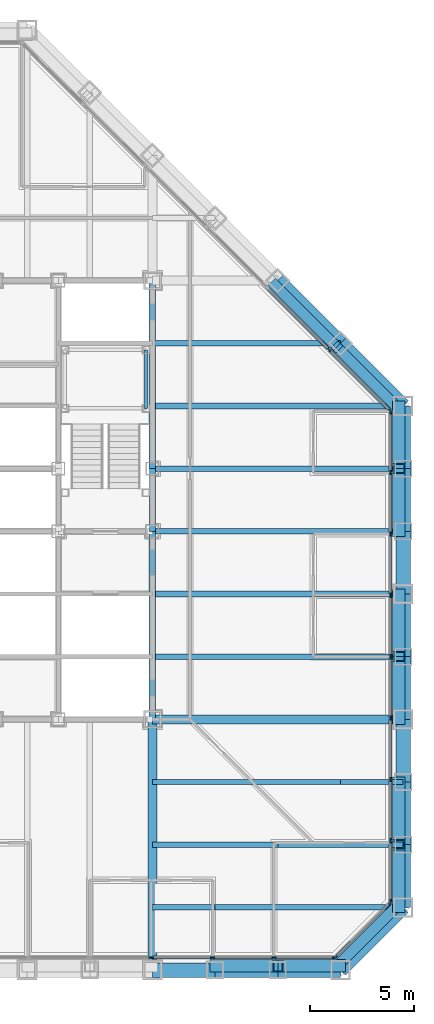
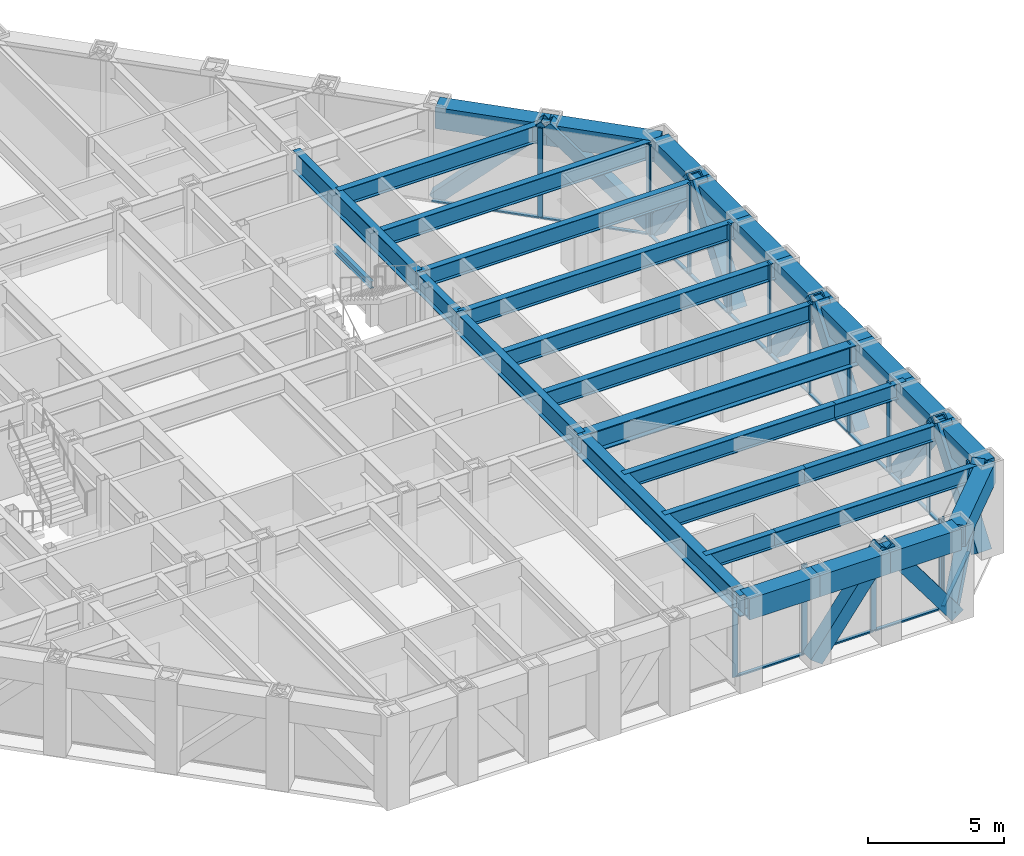
# One storey, part 6 of 17: 42 members, 32 beams, 4 elements without a shape of their own.
"""IFC4 building model written with IfcOpenShell, lengths in metres."""

from ifc_helpers import new_model, si_unit, direction, frame, origin, origin_2d, place, context, subcontext, project, spatial, rectangle, hollow_rectangle, i_section, extrude, material, layer, layer_set, material_profile, profile_set, type_object, element, aggregate, save


model = new_model("IFC4")

# Units and contexts
model_context = context("Model", 3, precision=1e-05, world=origin(), true_north=direction((0.0, 1.0)))
body_context = subcontext(model_context, "Body", "Model", "MODEL_VIEW")
ifc_project = project(units=[si_unit("LENGTHUNIT", "METRE"), si_unit("AREAUNIT", "SQUARE_METRE"), si_unit("VOLUMEUNIT", "CUBIC_METRE"), si_unit("PLANEANGLEUNIT", "RADIAN"), si_unit("MASSUNIT", "GRAM", prefix="KILO")], contexts=[model_context])

# Site, building, storey
site_placement = place(None, origin())
site = spatial("IfcSite", under=ifc_project, at=site_placement, CompositionType="ELEMENT")
building_placement = place(site_placement, origin())
building = spatial("IfcBuilding", under=site, at=building_placement, Name="Chuquiago Exchange Tower", CompositionType="ELEMENT")
storey_placement = place(building_placement, frame((0.0, 0.0, 169.800048828125)))
storey = spatial("IfcBuildingStorey", under=building, at=storey_placement, Name="L37", CompositionType="ELEMENT", Elevation=169.800048828125)

# Beams
ifc_material_1 = material(Name="Steel ASTM A992", Category="steel")
ifc_material_profile_1 = material_profile(ifc_material_1, i_section(OverallWidth=0.307373046875, OverallDepth=0.927001953125, WebThickness=0.01953125, FlangeThickness=0.031982421875, at=origin_2d()), Name="W36X194")
ifc_profile_set_1 = profile_set([ifc_material_profile_1], Name="Steel ASTM A992")
beam_type_1 = type_object("IfcBeamType", Name="B10 W36X194", PredefinedType="BEAM", material=ifc_profile_set_1)
for number, where, z_axis, x_axis, name in (
    (1, (33.0, 12.0, 3.576416015625), (0.0, 1.0, 0.0), (-1.0, 0.0, 0.0), "CB-L38-33_12-33_21"),
    (2, (33.0, 24.0, 3.576416015625), (0.0, 1.0, 0.0), (-1.0, 0.0, 0.0), "CB-L38-33_24-33_33"),
):
    element("IfcBeam", number, at=place(storey_placement, frame(where, z_axis=z_axis, x_axis=x_axis)), inside=storey, type_object=beam_type_1, Name=name, PredefinedType="BEAM", context=body_context, shape_type="SweptSolid", body=[
        extrude(i_section(OverallWidth=0.307373046875, OverallDepth=0.927001953125, WebThickness=0.01953125, FlangeThickness=0.031982421875, at=origin_2d()), origin(), (0.0, 0.0, 1.0), 9.0),
    ])
ifc_material_2 = material(Name="Steel ASTM A992", Category="steel")
ifc_material_profile_2 = material_profile(ifc_material_2, i_section(OverallWidth=0.2919921875, OverallDepth=0.8583984375, WebThickness=0.01708984375, FlangeThickness=0.031005859375, at=origin_2d()), Name="W33X169")
ifc_profile_set_2 = profile_set([ifc_material_profile_2], Name="Steel ASTM A992")
beam_type_2 = type_object("IfcBeamType", Name="B3 W33X169", PredefinedType="BEAM", material=ifc_profile_set_2)
beam_1_placement = place(storey_placement, frame((33.0, 21.0, 3.610595703125), z_axis=(0.0, 1.0, 0.0), x_axis=(-1.0, 0.0, 0.0)))
element("IfcBeam", 3, at=beam_1_placement, inside=storey, type_object=beam_type_2, Name="CB-L38-33_21-33_24", PredefinedType="BEAM", context=body_context, shape_type="SweptSolid", body=[
    extrude(i_section(OverallWidth=0.2919921875, OverallDepth=0.8583984375, WebThickness=0.01708984375, FlangeThickness=0.031005859375, at=origin_2d()), origin(), (0.0, 0.0, 1.0), 3.0),
])
ifc_material_3 = material(Name="Steel ASTM A992", Category="steel")
ifc_material_profile_3 = material_profile(ifc_material_3, i_section(OverallWidth=0.2666015625, OverallDepth=0.761962890625, WebThickness=0.014404296875, FlangeThickness=0.021484375, at=origin_2d()), Name="W30X116")
ifc_profile_set_3 = profile_set([ifc_material_profile_3], Name="Steel ASTM A992")
beam_type_3 = type_object("IfcBeamType", Name="B8 W30X116", PredefinedType="BEAM", material=ifc_profile_set_3)
for number, where, z_axis, x_axis, name in (
    (4, (33.0, 15.0, 3.658935546875), (1.0, 0.0, 0.0), (0.0, 1.0, 0.0), "FB-L38-infill-33_15-45_15-0"),
    (5, (33.0, 18.0, 3.658935546875), (1.0, 0.0, 0.0), (0.0, 1.0, 0.0), "FB-L38-infill-33_18-45_18-0"),
    (6, (33.0, 21.0, 3.658935546875), (1.0, 0.0, 0.0), (0.0, 1.0, 0.0), "FB-L38-infill-33_21-45_21-0"),
    (7, (33.0, 24.0, 3.658935546875), (1.0, 0.0, 0.0), (0.0, 1.0, 0.0), "FB-L38-infill-33_24-45_24-0"),
    (8, (33.0, 27.0, 3.658935546875), (1.0, 0.0, 0.0), (0.0, 1.0, 0.0), "FB-L38-infill-33_27-45_27-0"),
):
    element("IfcBeam", number, at=place(storey_placement, frame(where, z_axis=z_axis, x_axis=x_axis)), inside=storey, type_object=beam_type_3, Name=name, PredefinedType="BEAM", context=body_context, shape_type="SweptSolid", body=[
        extrude(i_section(OverallWidth=0.2666015625, OverallDepth=0.761962890625, WebThickness=0.014404296875, FlangeThickness=0.021484375, at=origin_2d()), origin(), (0.0, 0.0, 1.0), 12.0),
    ])
beam_2_placement = place(storey_placement, frame((33.0, 30.0, 3.658935546875), z_axis=(1.0, 0.0, 0.0), x_axis=(0.0, 1.0, 0.0)))
element("IfcBeam", 9, at=beam_2_placement, inside=storey, type_object=beam_type_3, Name="FB-L38-infill-33_30-42_30-0", PredefinedType="BEAM", context=body_context, shape_type="SweptSolid", body=[
    extrude(i_section(OverallWidth=0.2666015625, OverallDepth=0.761962890625, WebThickness=0.014404296875, FlangeThickness=0.021484375, at=origin_2d()), origin(), (0.0, 0.0, 1.0), 9.0),
])
ifc_material_4 = material(Name="Steel ASTM A992", Category="steel")
ifc_material_profile_4 = material_profile(ifc_material_4, i_section(OverallWidth=0.256591796875, OverallDepth=0.693359375, WebThickness=0.014404296875, FlangeThickness=0.023681640625, at=origin_2d()), Name="W27X114")
ifc_profile_set_4 = profile_set([ifc_material_profile_4], Name="Steel ASTM A992")
beam_type_4 = type_object("IfcBeamType", Name="B9 W27X114", PredefinedType="BEAM", material=ifc_profile_set_4)
beam_3_placement = place(storey_placement, frame((33.0, 3.0, 3.693359375), z_axis=(1.0, 0.0, 0.0), x_axis=(0.0, 1.0, 0.0)))
element("IfcBeam", 10, at=beam_3_placement, inside=storey, type_object=beam_type_4, Name="FB-L38-corner-33_3-45_3-0", PredefinedType="BEAM", context=body_context, shape_type="SweptSolid", body=[
    extrude(i_section(OverallWidth=0.256591796875, OverallDepth=0.693359375, WebThickness=0.014404296875, FlangeThickness=0.023681640625, at=origin_2d()), origin(), (0.0, 0.0, 1.0), 3.0),
])
beam_4_placement = place(storey_placement, frame((36.0, 3.0, 3.693359375), z_axis=(1.0, 0.0, 0.0), x_axis=(0.0, 1.0, 0.0)))
element("IfcBeam", 11, at=beam_4_placement, inside=storey, type_object=beam_type_4, Name="FB-L38-corner-33_3-45_3-1", PredefinedType="BEAM", context=body_context, shape_type="SweptSolid", body=[
    extrude(i_section(OverallWidth=0.256591796875, OverallDepth=0.693359375, WebThickness=0.014404296875, FlangeThickness=0.023681640625, at=origin_2d()), origin(), (0.0, 0.0, 1.0), 9.0),
])
for number, where, z_axis, x_axis, name in (
    (12, (33.0, 6.0, 3.693359375), (1.0, 0.0, 0.0), (0.0, 1.0, 0.0), "FB-L38-corner-33_6-45_6-0"),
    (13, (39.0, 6.0, 3.693359375), (1.0, 0.0, 0.0), (0.0, 1.0, 0.0), "FB-L38-corner-33_6-45_6-1"),
):
    element("IfcBeam", number, at=place(storey_placement, frame(where, z_axis=z_axis, x_axis=x_axis)), inside=storey, type_object=beam_type_4, Name=name, PredefinedType="BEAM", context=body_context, shape_type="SweptSolid", body=[
        extrude(i_section(OverallWidth=0.256591796875, OverallDepth=0.693359375, WebThickness=0.014404296875, FlangeThickness=0.023681640625, at=origin_2d()), origin(), (0.0, 0.0, 1.0), 6.0),
    ])
beam_5_placement = place(storey_placement, frame((33.0, 9.0, 3.693359375), z_axis=(1.0, 0.0, 0.0), x_axis=(0.0, 1.0, 0.0)))
element("IfcBeam", 14, at=beam_5_placement, inside=storey, type_object=beam_type_4, Name="FB-L38-corner-33_9-45_9-0", PredefinedType="BEAM", context=body_context, shape_type="SweptSolid", body=[
    extrude(i_section(OverallWidth=0.256591796875, OverallDepth=0.693359375, WebThickness=0.014404296875, FlangeThickness=0.023681640625, at=origin_2d()), origin(), (0.0, 0.0, 1.0), 9.0),
])
beam_6_placement = place(storey_placement, frame((42.0, 9.0, 3.693359375), z_axis=(1.0, 0.0, 0.0), x_axis=(0.0, 1.0, 0.0)))
element("IfcBeam", 15, at=beam_6_placement, inside=storey, type_object=beam_type_4, Name="FB-L38-corner-33_9-45_9-1", PredefinedType="BEAM", context=body_context, shape_type="SweptSolid", body=[
    extrude(i_section(OverallWidth=0.256591796875, OverallDepth=0.693359375, WebThickness=0.014404296875, FlangeThickness=0.023681640625, at=origin_2d()), origin(), (0.0, 0.0, 1.0), 3.0),
])

# Curtain wall, members
ifc_material_5 = material(Name="Aluminium curtain wall system", Category="aluminium")
ifc_layer_1 = layer(ifc_material_5, 0.22509765625)
ifc_layer_set_1 = layer_set([ifc_layer_1], Name="CW2 office curtain wall")
curtain_wall_type_1 = type_object("IfcCurtainWallType", Name="CW2 office curtain wall", PredefinedType="NOTDEFINED", material=ifc_layer_set_1)
curtain_wall_1_placement = place(storey_placement, origin())
curtain_wall_1 = element("IfcCurtainWall", 16, at=curtain_wall_1_placement, inside=storey, type_object=curtain_wall_type_1, Name="CW2 curtain wall L37", PredefinedType="NOTDEFINED")
ifc_material_6 = material(Name="Aluminium mullion, pale anodised", Category="aluminium")
ifc_material_profile_5 = material_profile(ifc_material_6, rectangle(XDim=0.06494140625, YDim=0.22509765625, at=origin_2d()), Name="AL 65x225")
ifc_profile_set_5 = profile_set([ifc_material_profile_5], Name="Aluminium mullion, pale anodised")
member_type_1 = type_object("IfcMemberType", Name="CW2-M mullion 65x225", PredefinedType="MULLION", material=ifc_profile_set_5)
member_1_placement = place(storey_placement, frame((32.93798828125, 0.60009765625, 0.0), z_axis=(0.0, 0.0, 1.0), x_axis=(0.0, 1.0, 0.0)))
member_1 = element("IfcMember", 17, at=member_1_placement, type_object=member_type_1, Name="CW2 mullion 6", PredefinedType="MULLION", context=body_context, shape_type="SweptSolid", body=[
    extrude(rectangle(XDim=0.06494140625, YDim=0.22509765625, at=origin_2d()), origin(), (0.0, 0.0, 1.0), 4.0400390625),
])
member_2_placement = place(storey_placement, frame((35.875732421875, 0.60009765625, 0.0), z_axis=(0.0, 0.0, 1.0), x_axis=(0.0, 1.0, 0.0)))
member_2 = element("IfcMember", 18, at=member_2_placement, type_object=member_type_1, Name="CW2 mullion 7", PredefinedType="MULLION", context=body_context, shape_type="SweptSolid", body=[
    extrude(rectangle(XDim=0.06494140625, YDim=0.22509765625, at=origin_2d()), origin(), (0.0, 0.0, 1.0), 4.0400390625),
])
member_3_placement = place(storey_placement, frame((38.813720703125, 0.60009765625, 0.0), z_axis=(0.0, 0.0, 1.0), x_axis=(0.0, 1.0, 0.0)))
member_3 = element("IfcMember", 19, at=member_3_placement, type_object=member_type_1, Name="CW2 mullion 8", PredefinedType="MULLION", context=body_context, shape_type="SweptSolid", body=[
    extrude(rectangle(XDim=0.06494140625, YDim=0.22509765625, at=origin_2d()), origin(), (0.0, 0.0, 1.0), 4.0400390625),
])
member_4_placement = place(storey_placement, frame((41.718994140625, 0.60009765625, 0.0), z_axis=(0.0, 0.0, 1.0), x_axis=(0.0, 1.0, 0.0)))
member_4 = element("IfcMember", 20, at=member_4_placement, type_object=member_type_1, Name="CW2 mullion 9", PredefinedType="MULLION", context=body_context, shape_type="SweptSolid", body=[
    extrude(rectangle(XDim=0.06494140625, YDim=0.22509765625, at=origin_2d()), origin(), (0.0, 0.0, 1.0), 4.0400390625),
])

curtain_wall_2_placement = place(storey_placement, origin())
curtain_wall_2 = element("IfcCurtainWall", 21, at=curtain_wall_2_placement, inside=storey, type_object=curtain_wall_type_1, Name="CW2 curtain wall L37", PredefinedType="NOTDEFINED")
member_5_placement = place(storey_placement, frame((44.39990234375, 3.281005859375, 0.0), z_axis=(0.0, 0.0, 1.0), x_axis=(-1.0, 0.0, 0.0)))
member_5 = element("IfcMember", 22, at=member_5_placement, type_object=member_type_1, Name="CW2 mullion 1", PredefinedType="MULLION", context=body_context, shape_type="SweptSolid", body=[
    extrude(rectangle(XDim=0.06494140625, YDim=0.22509765625, at=origin_2d()), origin(), (0.0, 0.0, 1.0), 4.0400390625),
])
member_6_placement = place(storey_placement, frame((44.39990234375, 6.186279296875, 0.0), z_axis=(0.0, 0.0, 1.0), x_axis=(-1.0, 0.0, 0.0)))
member_6 = element("IfcMember", 23, at=member_6_placement, type_object=member_type_1, Name="CW2 mullion 2", PredefinedType="MULLION", context=body_context, shape_type="SweptSolid", body=[
    extrude(rectangle(XDim=0.06494140625, YDim=0.22509765625, at=origin_2d()), origin(), (0.0, 0.0, 1.0), 4.0400390625),
])
member_7_placement = place(storey_placement, frame((44.39990234375, 9.124267578125, 0.0), z_axis=(0.0, 0.0, 1.0), x_axis=(-1.0, 0.0, 0.0)))
member_7 = element("IfcMember", 24, at=member_7_placement, type_object=member_type_1, Name="CW2 mullion 3", PredefinedType="MULLION", context=body_context, shape_type="SweptSolid", body=[
    extrude(rectangle(XDim=0.06494140625, YDim=0.22509765625, at=origin_2d()), origin(), (0.0, 0.0, 1.0), 4.0400390625),
])
member_8_placement = place(storey_placement, frame((44.39990234375, 12.06201171875, 0.0), z_axis=(0.0, 0.0, 1.0), x_axis=(-1.0, 0.0, 0.0)))
member_8 = element("IfcMember", 25, at=member_8_placement, type_object=member_type_1, Name="CW2 mullion 4", PredefinedType="MULLION", context=body_context, shape_type="SweptSolid", body=[
    extrude(rectangle(XDim=0.06494140625, YDim=0.22509765625, at=origin_2d()), origin(), (0.0, 0.0, 1.0), 4.0400390625),
])
member_9_placement = place(storey_placement, frame((44.39990234375, 15.0, 0.0), z_axis=(0.0, 0.0, 1.0), x_axis=(-1.0, 0.0, 0.0)))
member_9 = element("IfcMember", 26, at=member_9_placement, type_object=member_type_1, Name="CW2 mullion 5", PredefinedType="MULLION", context=body_context, shape_type="SweptSolid", body=[
    extrude(rectangle(XDim=0.06494140625, YDim=0.22509765625, at=origin_2d()), origin(), (0.0, 0.0, 1.0), 4.0400390625),
])
member_10_placement = place(storey_placement, frame((44.39990234375, 17.93798828125, 0.0), z_axis=(0.0, 0.0, 1.0), x_axis=(-1.0, 0.0, 0.0)))
member_10 = element("IfcMember", 27, at=member_10_placement, type_object=member_type_1, Name="CW2 mullion 6", PredefinedType="MULLION", context=body_context, shape_type="SweptSolid", body=[
    extrude(rectangle(XDim=0.06494140625, YDim=0.22509765625, at=origin_2d()), origin(), (0.0, 0.0, 1.0), 4.0400390625),
])
member_11_placement = place(storey_placement, frame((44.39990234375, 20.875732421875, 0.0), z_axis=(0.0, 0.0, 1.0), x_axis=(-1.0, 0.0, 0.0)))
member_11 = element("IfcMember", 28, at=member_11_placement, type_object=member_type_1, Name="CW2 mullion 7", PredefinedType="MULLION", context=body_context, shape_type="SweptSolid", body=[
    extrude(rectangle(XDim=0.06494140625, YDim=0.22509765625, at=origin_2d()), origin(), (0.0, 0.0, 1.0), 4.0400390625),
])
member_12_placement = place(storey_placement, frame((44.39990234375, 23.813720703125, 0.0), z_axis=(0.0, 0.0, 1.0), x_axis=(-1.0, 0.0, 0.0)))
member_12 = element("IfcMember", 29, at=member_12_placement, type_object=member_type_1, Name="CW2 mullion 8", PredefinedType="MULLION", context=body_context, shape_type="SweptSolid", body=[
    extrude(rectangle(XDim=0.06494140625, YDim=0.22509765625, at=origin_2d()), origin(), (0.0, 0.0, 1.0), 4.0400390625),
])
member_13_placement = place(storey_placement, frame((44.39990234375, 26.718994140625, 0.0), z_axis=(0.0, 0.0, 1.0), x_axis=(-1.0, 0.0, 0.0)))
member_13 = element("IfcMember", 30, at=member_13_placement, type_object=member_type_1, Name="CW2 mullion 9", PredefinedType="MULLION", context=body_context, shape_type="SweptSolid", body=[
    extrude(rectangle(XDim=0.06494140625, YDim=0.22509765625, at=origin_2d()), origin(), (0.0, 0.0, 1.0), 4.0400390625),
])

# Member
ifc_material_7 = material(Name="Aluminium transom, pale anodised", Category="aluminium")
ifc_material_profile_6 = material_profile(ifc_material_7, rectangle(XDim=0.139892578125, YDim=0.06494140625, at=origin_2d()), Name="AL 140x65")
ifc_profile_set_6 = profile_set([ifc_material_profile_6], Name="Aluminium transom, pale anodised")
member_type_2 = type_object("IfcMemberType", Name="CW2-T transom 65x140", PredefinedType="MULLION", material=ifc_profile_set_6)
member_14_placement = place(storey_placement, frame((32.970458984375, 0.60009765625, 0.032470703125), z_axis=(1.0, 0.0, 0.0), x_axis=(0.0, 1.0, 0.0)))
member_14 = element("IfcMember", 31, at=member_14_placement, type_object=member_type_2, Name="CW2 transom 6.1", PredefinedType="MULLION", context=body_context, shape_type="SweptSolid", body=[
    extrude(rectangle(XDim=0.139892578125, YDim=0.06494140625, at=origin_2d()), origin(), (0.0, 0.0, 1.0), 2.872802734375),
])

member_15_placement = place(storey_placement, frame((35.908203125, 0.60009765625, 0.032470703125), z_axis=(1.0, 0.0, 0.0), x_axis=(0.0, 1.0, 0.0)))
member_15 = element("IfcMember", 32, at=member_15_placement, type_object=member_type_2, Name="CW2 transom 7.1", PredefinedType="MULLION", context=body_context, shape_type="SweptSolid", body=[
    extrude(rectangle(XDim=0.139892578125, YDim=0.06494140625, at=origin_2d()), origin(), (0.0, 0.0, 1.0), 2.872802734375),
])

member_16_placement = place(storey_placement, frame((38.84619140625, 0.60009765625, 0.032470703125), z_axis=(1.0, 0.0, 0.0), x_axis=(0.0, 1.0, 0.0)))
member_16 = element("IfcMember", 33, at=member_16_placement, type_object=member_type_2, Name="CW2 transom 8.1", PredefinedType="MULLION", context=body_context, shape_type="SweptSolid", body=[
    extrude(rectangle(XDim=0.139892578125, YDim=0.06494140625, at=origin_2d()), origin(), (0.0, 0.0, 1.0), 2.84033203125),
])

aggregate(curtain_wall_1, [member_1, member_2, member_3, member_4, member_14, member_15, member_16])

member_17_placement = place(storey_placement, frame((44.39990234375, 3.3134765625, 0.032470703125), z_axis=(0.0, 1.0, 0.0), x_axis=(-1.0, 0.0, 0.0)))
member_17 = element("IfcMember", 34, at=member_17_placement, type_object=member_type_2, Name="CW2 transom 1.1", PredefinedType="MULLION", context=body_context, shape_type="SweptSolid", body=[
    extrude(rectangle(XDim=0.139892578125, YDim=0.06494140625, at=origin_2d()), origin(), (0.0, 0.0, 1.0), 2.84033203125),
])

member_18_placement = place(storey_placement, frame((44.39990234375, 6.218994140625, 0.032470703125), z_axis=(0.0, 1.0, 0.0), x_axis=(-1.0, 0.0, 0.0)))
member_18 = element("IfcMember", 35, at=member_18_placement, type_object=member_type_2, Name="CW2 transom 2.1", PredefinedType="MULLION", context=body_context, shape_type="SweptSolid", body=[
    extrude(rectangle(XDim=0.139892578125, YDim=0.06494140625, at=origin_2d()), origin(), (0.0, 0.0, 1.0), 2.872802734375),
])

member_19_placement = place(storey_placement, frame((44.39990234375, 9.15673828125, 0.032470703125), z_axis=(0.0, 1.0, 0.0), x_axis=(-1.0, 0.0, 0.0)))
member_19 = element("IfcMember", 36, at=member_19_placement, type_object=member_type_2, Name="CW2 transom 3.1", PredefinedType="MULLION", context=body_context, shape_type="SweptSolid", body=[
    extrude(rectangle(XDim=0.139892578125, YDim=0.06494140625, at=origin_2d()), origin(), (0.0, 0.0, 1.0), 2.872802734375),
])

member_20_placement = place(storey_placement, frame((44.39990234375, 12.0947265625, 0.032470703125), z_axis=(0.0, 1.0, 0.0), x_axis=(-1.0, 0.0, 0.0)))
member_20 = element("IfcMember", 37, at=member_20_placement, type_object=member_type_2, Name="CW2 transom 4.1", PredefinedType="MULLION", context=body_context, shape_type="SweptSolid", body=[
    extrude(rectangle(XDim=0.139892578125, YDim=0.06494140625, at=origin_2d()), origin(), (0.0, 0.0, 1.0), 2.872802734375),
])

member_21_placement = place(storey_placement, frame((44.39990234375, 15.032470703125, 0.032470703125), z_axis=(0.0, 1.0, 0.0), x_axis=(-1.0, 0.0, 0.0)))
member_21 = element("IfcMember", 38, at=member_21_placement, type_object=member_type_2, Name="CW2 transom 5.1", PredefinedType="MULLION", context=body_context, shape_type="SweptSolid", body=[
    extrude(rectangle(XDim=0.139892578125, YDim=0.06494140625, at=origin_2d()), origin(), (0.0, 0.0, 1.0), 2.872802734375),
])

member_22_placement = place(storey_placement, frame((44.39990234375, 17.970458984375, 0.032470703125), z_axis=(0.0, 1.0, 0.0), x_axis=(-1.0, 0.0, 0.0)))
member_22 = element("IfcMember", 39, at=member_22_placement, type_object=member_type_2, Name="CW2 transom 6.1", PredefinedType="MULLION", context=body_context, shape_type="SweptSolid", body=[
    extrude(rectangle(XDim=0.139892578125, YDim=0.06494140625, at=origin_2d()), origin(), (0.0, 0.0, 1.0), 2.872802734375),
])

member_23_placement = place(storey_placement, frame((44.39990234375, 20.908203125, 0.032470703125), z_axis=(0.0, 1.0, 0.0), x_axis=(-1.0, 0.0, 0.0)))
member_23 = element("IfcMember", 40, at=member_23_placement, type_object=member_type_2, Name="CW2 transom 7.1", PredefinedType="MULLION", context=body_context, shape_type="SweptSolid", body=[
    extrude(rectangle(XDim=0.139892578125, YDim=0.06494140625, at=origin_2d()), origin(), (0.0, 0.0, 1.0), 2.872802734375),
])

member_24_placement = place(storey_placement, frame((44.39990234375, 23.84619140625, 0.032470703125), z_axis=(0.0, 1.0, 0.0), x_axis=(-1.0, 0.0, 0.0)))
member_24 = element("IfcMember", 41, at=member_24_placement, type_object=member_type_2, Name="CW2 transom 8.1", PredefinedType="MULLION", context=body_context, shape_type="SweptSolid", body=[
    extrude(rectangle(XDim=0.139892578125, YDim=0.06494140625, at=origin_2d()), origin(), (0.0, 0.0, 1.0), 2.84033203125),
])

aggregate(curtain_wall_2, [member_5, member_6, member_7, member_8, member_9, member_10, member_11, member_12, member_13, member_17, member_18, member_19, member_20, member_21, member_22, member_23, member_24])

# Curtain wall, members
ifc_material_8 = material(Name="Aluminium curtain wall system", Category="aluminium")
ifc_layer_2 = layer(ifc_material_8, 0.199951171875)
ifc_layer_set_2 = layer_set([ifc_layer_2], Name="CW3 facet curtain wall")
curtain_wall_type_2 = type_object("IfcCurtainWallType", Name="CW3 facet curtain wall", PredefinedType="NOTDEFINED", material=ifc_layer_set_2)
curtain_wall_3_placement = place(storey_placement, origin())
curtain_wall_3 = element("IfcCurtainWall", 42, at=curtain_wall_3_placement, inside=storey, type_object=curtain_wall_type_2, Name="CW3 curtain wall L37", PredefinedType="NOTDEFINED")
ifc_material_9 = material(Name="Aluminium mullion, pale anodised", Category="aluminium")
ifc_material_profile_7 = material_profile(ifc_material_9, rectangle(XDim=0.06494140625, YDim=0.199951171875, at=origin_2d()), Name="AL 65x200")
ifc_profile_set_7 = profile_set([ifc_material_profile_7], Name="Aluminium mullion, pale anodised")
member_type_3 = type_object("IfcMemberType", Name="CW3-M mullion 65x200", PredefinedType="MULLION", material=ifc_profile_set_7)
member_25_placement = place(storey_placement, frame((41.7744140625, 0.623046875, 0.0), z_axis=(0.0, 0.0, 1.0), x_axis=(-0.707106781187, 0.707106781187, 0.0)))
member_25 = element("IfcMember", 43, at=member_25_placement, type_object=member_type_3, Name="CW3 mullion 1", PredefinedType="MULLION", context=body_context, shape_type="SweptSolid", body=[
    extrude(rectangle(XDim=0.06494140625, YDim=0.199951171875, at=origin_2d()), origin(), (0.0, 0.0, 1.0), 4.0400390625),
])
member_26_placement = place(storey_placement, frame((44.376953125, 3.2255859375, 0.0), z_axis=(0.0, 0.0, 1.0), x_axis=(-0.707106781187, 0.707106781187, 0.0)))
member_26 = element("IfcMember", 44, at=member_26_placement, type_object=member_type_3, Name="CW3 mullion 2", PredefinedType="MULLION", context=body_context, shape_type="SweptSolid", body=[
    extrude(rectangle(XDim=0.06494140625, YDim=0.199951171875, at=origin_2d()), origin(), (0.0, 0.0, 1.0), 4.0400390625),
])

curtain_wall_4_placement = place(storey_placement, origin())
curtain_wall_4 = element("IfcCurtainWall", 45, at=curtain_wall_4_placement, inside=storey, type_object=curtain_wall_type_2, Name="CW3 curtain wall L37", PredefinedType="NOTDEFINED")
member_27_placement = place(storey_placement, frame((44.376953125, 26.7744140625, 0.0), z_axis=(0.0, 0.0, 1.0), x_axis=(-0.707106781187, -0.707106781187, 0.0)))
member_27 = element("IfcMember", 46, at=member_27_placement, type_object=member_type_3, Name="CW3 mullion 1", PredefinedType="MULLION", context=body_context, shape_type="SweptSolid", body=[
    extrude(rectangle(XDim=0.06494140625, YDim=0.199951171875, at=origin_2d()), origin(), (0.0, 0.0, 1.0), 4.0400390625),
])
member_28_placement = place(storey_placement, frame((41.45849609375, 29.69287109375, 0.0), z_axis=(0.0, 0.0, 1.0), x_axis=(-0.707106781187, -0.707106781187, 0.0)))
member_28 = element("IfcMember", 47, at=member_28_placement, type_object=member_type_3, Name="CW3 mullion 2", PredefinedType="MULLION", context=body_context, shape_type="SweptSolid", body=[
    extrude(rectangle(XDim=0.06494140625, YDim=0.199951171875, at=origin_2d()), origin(), (0.0, 0.0, 1.0), 4.0400390625),
])

# Member
ifc_material_10 = material(Name="Aluminium transom, pale anodised", Category="aluminium")
ifc_material_profile_8 = material_profile(ifc_material_10, rectangle(XDim=0.139892578125, YDim=0.06494140625, at=origin_2d()), Name="AL 140x65")
ifc_profile_set_8 = profile_set([ifc_material_profile_8], Name="Aluminium transom, pale anodised")
member_type_4 = type_object("IfcMemberType", Name="CW3-T transom 65x140", PredefinedType="MULLION", material=ifc_profile_set_8)
member_29_placement = place(storey_placement, frame((41.79736328125, 0.64599609375, 0.032470703125), z_axis=(0.707106781187, 0.707106781187, 0.0), x_axis=(-0.707106781187, 0.707106781187, 0.0)))
member_29 = element("IfcMember", 48, at=member_29_placement, type_object=member_type_4, Name="CW3 transom 1.1", PredefinedType="MULLION", context=body_context, shape_type="SweptSolid", body=[
    extrude(rectangle(XDim=0.139892578125, YDim=0.06494140625, at=origin_2d()), origin(), (0.0, 0.0, 1.0), 3.61572265625),
])

aggregate(curtain_wall_3, [member_25, member_26, member_29])

member_30_placement = place(storey_placement, frame((44.35400390625, 26.79736328125, 0.032470703125), z_axis=(-0.707106781187, 0.707106781187, 0.0), x_axis=(-0.707106781187, -0.707106781187, 0.0)))
member_30 = element("IfcMember", 49, at=member_30_placement, type_object=member_type_4, Name="CW3 transom 1.1", PredefinedType="MULLION", context=body_context, shape_type="SweptSolid", body=[
    extrude(rectangle(XDim=0.139892578125, YDim=0.06494140625, at=origin_2d()), origin(), (0.0, 0.0, 1.0), 4.0625),
])

member_31_placement = place(storey_placement, frame((41.435546875, 29.7158203125, 0.032470703125), z_axis=(-0.707106781187, 0.707106781187, 0.0), x_axis=(-0.707106781187, -0.707106781187, 0.0)))
member_31 = element("IfcMember", 50, at=member_31_placement, type_object=member_type_4, Name="CW3 transom 2.1", PredefinedType="MULLION", context=body_context, shape_type="SweptSolid", body=[
    extrude(rectangle(XDim=0.139892578125, YDim=0.06494140625, at=origin_2d()), origin(), (0.0, 0.0, 1.0), 4.094970703125),
])

aggregate(curtain_wall_4, [member_27, member_28, member_30, member_31])

# Beams
ifc_material_11 = material(Name="Steel ASTM A992", Category="steel")
ifc_material_profile_9 = material_profile(ifc_material_11, i_section(OverallWidth=0.424072265625, OverallDepth=0.947509765625, WebThickness=0.02392578125, FlangeThickness=0.042724609375, at=origin_2d()), Name="W36X302")
ifc_profile_set_9 = profile_set([ifc_material_profile_9], Name="Steel ASTM A992")
beam_type_5 = type_object("IfcBeamType", Name="G4 W36X302", PredefinedType="BEAM", material=ifc_profile_set_9)
for number, where, z_axis, x_axis, name in (
    (51, (33.0, 12.0, 3.566162109375), (0.0, -1.0, 0.0), (1.0, 0.0, 0.0), "FB-L38-girder-33_12-33_-0-0"),
    (52, (33.0, 12.0, 3.566162109375), (1.0, 0.0, 0.0), (0.0, 1.0, 0.0), "FB-L38-girder-33_12-45_12-0"),
):
    element("IfcBeam", number, at=place(storey_placement, frame(where, z_axis=z_axis, x_axis=x_axis)), inside=storey, type_object=beam_type_5, Name=name, PredefinedType="BEAM", context=body_context, shape_type="SweptSolid", body=[
        extrude(i_section(OverallWidth=0.424072265625, OverallDepth=0.947509765625, WebThickness=0.02392578125, FlangeThickness=0.042724609375, at=origin_2d()), origin(), (0.0, 0.0, 1.0), 12.0),
    ])

# Members
ifc_material_12 = material(Name="Steel ASTM A500 Grade C", Category="steel")
ifc_material_profile_10 = material_profile(ifc_material_12, hollow_rectangle(XDim=0.508056640625, YDim=0.508056640625, WallThickness=0.017822265625, at=origin_2d()), Name="HSS20X20X3/4")
ifc_profile_set_10 = profile_set([ifc_material_profile_10], Name="Steel ASTM A500 Grade C")
member_type_5 = type_object("IfcMemberType", Name="LB1 HSS20X20X3/4", PredefinedType="BRACE", material=ifc_profile_set_10)
for number, where, z_axis, x_axis, name in (
    (53, (41.822509765625, 0.177490234375, 0.0), (0.512077265487, 0.512077265487, 0.689604051861), (-0.707106781187, 0.707106781187, 0.0), "LB-L37-42_0-45_3"),
    (54, (44.822509765625, 26.822509765625, 0.0), (-0.512077265487, 0.512077265487, 0.689604051861), (-0.707106781187, -0.707106781187, 0.0), "LB-L37-45_27-42_30"),
    (55, (38.822509765625, 32.822509765625, 0.0), (0.512077265487, -0.512077265487, 0.689604051861), (0.707106781187, 0.707106781187, 0.0), "LB-L37-42_30-39_33"),
):
    element("IfcMember", number, at=place(storey_placement, frame(where, z_axis=z_axis, x_axis=x_axis)), inside=storey, type_object=member_type_5, Name=name, PredefinedType="BRACE", context=body_context, shape_type="SweptSolid", body=[
        extrude(hollow_rectangle(XDim=0.508056640625, YDim=0.508056640625, WallThickness=0.017822265625, at=origin_2d()), origin(), (0.0, 0.0, 1.0), 5.8583984375),
    ])

# Beam
ifc_material_13 = material(Name="Steel ASTM A992", Category="steel")
ifc_material_profile_11 = material_profile(ifc_material_13, i_section(OverallWidth=0.164794921875, OverallDepth=0.309814453125, WebThickness=0.005859375, FlangeThickness=0.009765625, at=origin_2d()), Name="W12X26")
ifc_profile_set_11 = profile_set([ifc_material_profile_11], Name="Steel ASTM A992")
beam_type_6 = type_object("IfcBeamType", Name="LS1 W12X26", PredefinedType="BEAM", material=ifc_profile_set_11)
beam_7_placement = place(storey_placement, frame((32.68994140625, 26.889892578125, 1.7451171875), z_axis=(0.0, 1.0, 0.0), x_axis=(-1.0, 0.0, 0.0)))
element("IfcBeam", 56, at=beam_7_placement, inside=storey, type_object=beam_type_6, Name="Stair ST2 L37 landing 1 stringer", PredefinedType="BEAM", context=body_context, shape_type="SweptSolid", body=[
    extrude(i_section(OverallWidth=0.164794921875, OverallDepth=0.309814453125, WebThickness=0.005859375, FlangeThickness=0.009765625, at=origin_2d()), origin(), (0.0, 0.0, 1.0), 2.800048828125),
])

# Members
ifc_material_14 = material(Name="Steel ASTM A572 Grade 50", Category="steel")
ifc_material_profile_12 = material_profile(ifc_material_14, hollow_rectangle(XDim=0.60009765625, YDim=0.60009765625, WallThickness=0.06005859375, at=origin_2d()), Name="BOX600X600X60")
ifc_profile_set_12 = profile_set([ifc_material_profile_12], Name="Steel ASTM A572 Grade 50")
member_type_6 = type_object("IfcMemberType", Name="MB2 BOX600X600X60", PredefinedType="BRACE", material=ifc_profile_set_12)
for number, where, z_axis, x_axis, name in (
    (57, (36.0, 0.205078125, 0.0), (0.596173923302, 0.0, 0.802855312728), (0.0, 1.0, 0.0), "Mega diagonal L37 S face"),
    (58, (42.0, 0.205078125, 0.0), (-0.596173923302, 0.0, 0.802855312728), (0.0, -1.0, 0.0), "Mega diagonal L37 S face"),
    (59, (44.794921875, 3.0, 0.0), (0.0, 0.596173923302, 0.802855312728), (-1.0, 0.0, 0.0), "Mega diagonal L37 E face"),
    (60, (44.794921875, 9.0, 0.0), (0.0, -0.596173923302, 0.802855312728), (1.0, 0.0, 0.0), "Mega diagonal L37 E face"),
    (61, (44.794921875, 12.0, 0.0), (0.0, 0.596173923302, 0.802855312728), (-1.0, 0.0, 0.0), "Mega diagonal L37 E face"),
    (62, (44.794921875, 18.0, 0.0), (0.0, -0.596173923302, 0.802855312728), (1.0, 0.0, 0.0), "Mega diagonal L37 E face"),
    (63, (44.794921875, 21.0, 0.0), (0.0, 0.596173923302, 0.802855312728), (-1.0, 0.0, 0.0), "Mega diagonal L37 E face"),
    (64, (44.794921875, 27.0, 0.0), (0.0, -0.596173923302, 0.802855312728), (1.0, 0.0, 0.0), "Mega diagonal L37 E face"),
):
    element("IfcMember", number, at=place(storey_placement, frame(where, z_axis=z_axis, x_axis=x_axis)), inside=storey, type_object=member_type_6, Name=name, PredefinedType="BRACE", context=body_context, shape_type="SweptSolid", body=[
        extrude(hollow_rectangle(XDim=0.60009765625, YDim=0.60009765625, WallThickness=0.06005859375, at=origin_2d()), origin(), (0.0, 0.0, 1.0), 5.031982421875),
    ])

# Beams
ifc_material_15 = material(Name="Steel ASTM A572 Grade 50", Category="steel")
ifc_material_profile_13 = material_profile(ifc_material_15, hollow_rectangle(XDim=0.699951171875, YDim=0.949951171875, WallThickness=0.10009765625, at=origin_2d()), Name="BOX950X700X100")
ifc_profile_set_13 = profile_set([ifc_material_profile_13], Name="Steel ASTM A572 Grade 50")
beam_type_7 = type_object("IfcBeamType", Name="SP5 BOX950X700X100", PredefinedType="SPANDREL", material=ifc_profile_set_13)
for number, where, z_axis, x_axis, name in (
    (65, (33.0, 0.0, 3.56494140625), (1.0, 0.0, 0.0), (0.0, 1.0, 0.0), "SPB-L38-33_0-36_0"),
    (66, (36.0, 0.0, 3.56494140625), (1.0, 0.0, 0.0), (0.0, 1.0, 0.0), "SPB-L38-36_0-39_0"),
    (67, (39.0, 0.0, 3.56494140625), (1.0, 0.0, 0.0), (0.0, 1.0, 0.0), "SPB-L38-39_0-42_0"),
):
    element("IfcBeam", number, at=place(storey_placement, frame(where, z_axis=z_axis, x_axis=x_axis)), inside=storey, type_object=beam_type_7, Name=name, PredefinedType="SPANDREL", context=body_context, shape_type="SweptSolid", body=[
        extrude(hollow_rectangle(XDim=0.699951171875, YDim=0.949951171875, WallThickness=0.10009765625, at=origin_2d()), origin(), (0.0, 0.0, 1.0), 3.0),
    ])
beam_8_placement = place(storey_placement, frame((42.0, 0.0, 3.56494140625), z_axis=(0.707106781187, 0.707106781187, 0.0), x_axis=(-0.707106781187, 0.707106781187, 0.0)))
element("IfcBeam", 68, at=beam_8_placement, inside=storey, type_object=beam_type_7, Name="SPB-L38-42_0-45_3", PredefinedType="SPANDREL", context=body_context, shape_type="SweptSolid", body=[
    extrude(hollow_rectangle(XDim=0.699951171875, YDim=0.949951171875, WallThickness=0.10009765625, at=origin_2d()), origin(), (0.0, 0.0, 1.0), 4.24267578125),
])
for number, where, z_axis, x_axis, name in (
    (69, (45.0, 3.0, 3.56494140625), (0.0, 1.0, 0.0), (-1.0, 0.0, 0.0), "SPB-L38-45_3-45_6"),
    (70, (45.0, 6.0, 3.56494140625), (0.0, 1.0, 0.0), (-1.0, 0.0, 0.0), "SPB-L38-45_6-45_9"),
    (71, (45.0, 9.0, 3.56494140625), (0.0, 1.0, 0.0), (-1.0, 0.0, 0.0), "SPB-L38-45_9-45_12"),
    (72, (45.0, 12.0, 3.56494140625), (0.0, 1.0, 0.0), (-1.0, 0.0, 0.0), "SPB-L38-45_12-45_15"),
    (73, (45.0, 15.0, 3.56494140625), (0.0, 1.0, 0.0), (-1.0, 0.0, 0.0), "SPB-L38-45_15-45_18"),
    (74, (45.0, 18.0, 3.56494140625), (0.0, 1.0, 0.0), (-1.0, 0.0, 0.0), "SPB-L38-45_18-45_21"),
    (75, (45.0, 21.0, 3.56494140625), (0.0, 1.0, 0.0), (-1.0, 0.0, 0.0), "SPB-L38-45_21-45_24"),
    (76, (45.0, 24.0, 3.56494140625), (0.0, 1.0, 0.0), (-1.0, 0.0, 0.0), "SPB-L38-45_24-45_27"),
):
    element("IfcBeam", number, at=place(storey_placement, frame(where, z_axis=z_axis, x_axis=x_axis)), inside=storey, type_object=beam_type_7, Name=name, PredefinedType="SPANDREL", context=body_context, shape_type="SweptSolid", body=[
        extrude(hollow_rectangle(XDim=0.699951171875, YDim=0.949951171875, WallThickness=0.10009765625, at=origin_2d()), origin(), (0.0, 0.0, 1.0), 3.0),
    ])
for number, where, z_axis, x_axis, name in (
    (77, (45.0, 27.0, 3.56494140625), (-0.707106781187, 0.707106781187, 0.0), (-0.707106781187, -0.707106781187, 0.0), "SPB-L38-45_27-42_30"),
    (78, (42.0, 30.0, 3.56494140625), (-0.707106781187, 0.707106781187, 0.0), (-0.707106781187, -0.707106781187, 0.0), "SPB-L38-42_30-39_33"),
):
    element("IfcBeam", number, at=place(storey_placement, frame(where, z_axis=z_axis, x_axis=x_axis)), inside=storey, type_object=beam_type_7, Name=name, PredefinedType="SPANDREL", context=body_context, shape_type="SweptSolid", body=[
        extrude(hollow_rectangle(XDim=0.699951171875, YDim=0.949951171875, WallThickness=0.10009765625, at=origin_2d()), origin(), (0.0, 0.0, 1.0), 4.24267578125),
    ])

save(model, "model.ifc")
